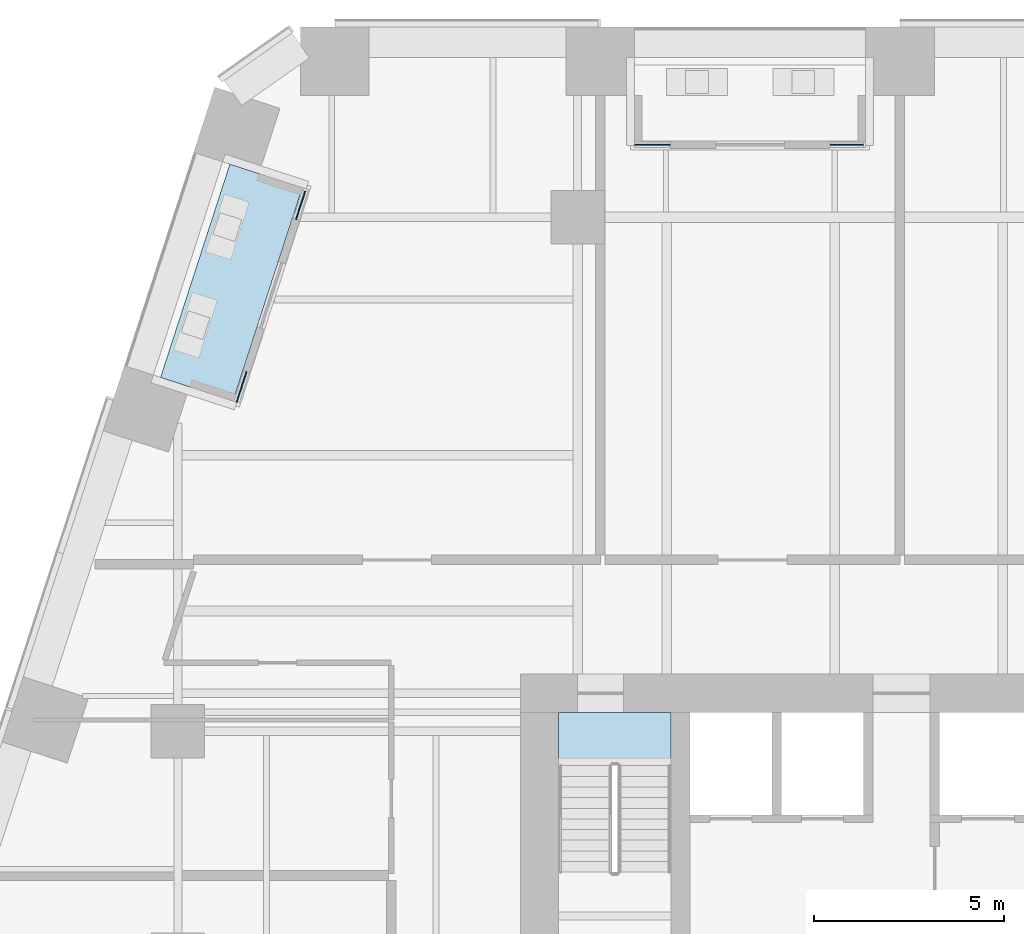
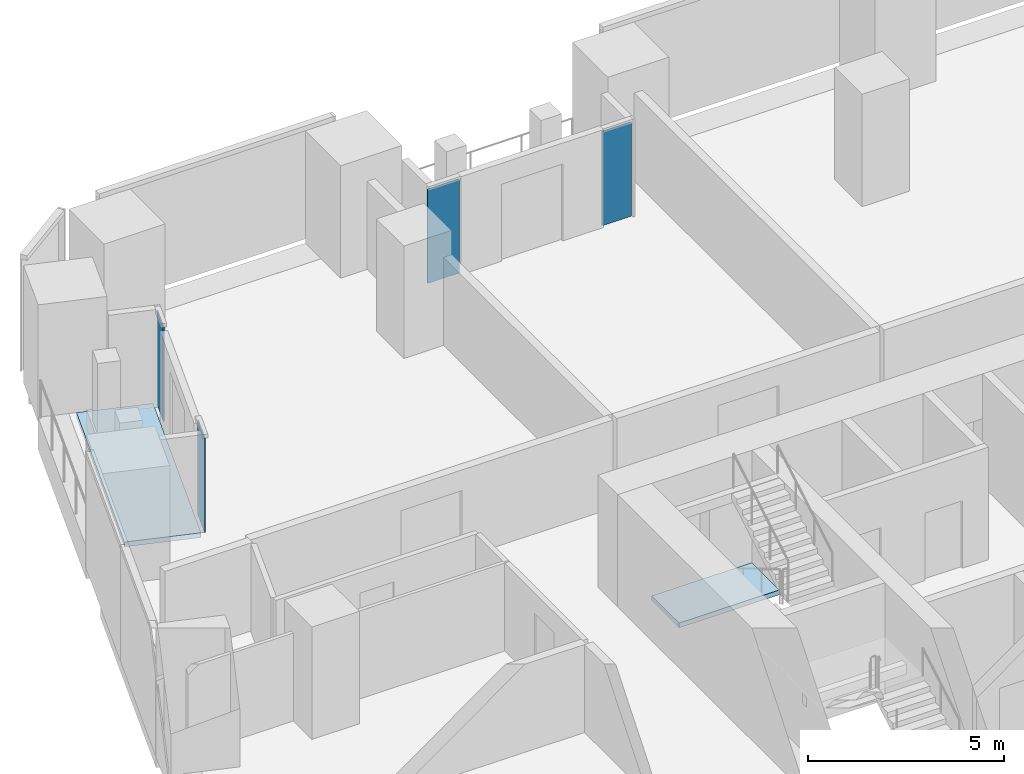
# One storey, part 17 of 28: 4 plates, 2 slabs, 2 elements without a shape of their own.
"""IFC4 building model written with IfcOpenShell, lengths in metres."""

from ifc_helpers import new_model, si_unit, direction, frame, origin, origin_2d, place, context, subcontext, project, spatial, polyline, rectangle, outline, extrude, material, layer, layer_set, type_object, element, aggregate, save


model = new_model("IFC4")

# Units and contexts
model_context = context("Model", 3, precision=1e-05, world=origin(), true_north=direction((0.0, 1.0)))
body_context = subcontext(model_context, "Body", "Model", "MODEL_VIEW")
ifc_project = project(units=[si_unit("LENGTHUNIT", "METRE"), si_unit("AREAUNIT", "SQUARE_METRE"), si_unit("VOLUMEUNIT", "CUBIC_METRE"), si_unit("PLANEANGLEUNIT", "RADIAN"), si_unit("MASSUNIT", "GRAM", prefix="KILO")], contexts=[model_context])

# Site, building, storey
site_placement = place(None, origin())
site = spatial("IfcSite", under=ifc_project, at=site_placement, CompositionType="ELEMENT")
building_placement = place(site_placement, origin())
building = spatial("IfcBuilding", under=site, at=building_placement, Name="Isthmus Gate Tower", CompositionType="ELEMENT")
storey_placement = place(building_placement, frame((0.0, 0.0, 68.85009765625)))
storey = spatial("IfcBuildingStorey", under=building, at=storey_placement, Name="L15", CompositionType="ELEMENT", Elevation=68.85009765625)

# Slab
ifc_material_1 = material(Name="Concrete f'c 40 MPa", Category="concrete")
ifc_layer_1 = layer(ifc_material_1, 0.14990234375)
ifc_layer_set_1 = layer_set([ifc_layer_1], Name="CORE FLOOR SLAB 150")
slab_type_1 = type_object("IfcSlabType", Name="CORE FLOOR SLAB 150", PredefinedType="FLOOR", material=ifc_layer_set_1)
slab_1_placement = place(storey_placement, frame((0.0, 0.0, -0.150146484375)))
element("IfcSlab", 1, at=slab_1_placement, inside=storey, type_object=slab_type_1, Name="L15 core floor", PredefinedType="FLOOR", context=body_context, shape_type="SweptSolid", body=[
    extrude(outline(polyline([(-14.0, 14.0), (-14.0, 12.597900390625), (-11.050048828125, 12.597900390625), (-11.050048828125, 14.0), (-14.0, 14.0)])), origin(), (0.0, 0.0, 1.0), 0.150146484375),
])

# Curtain wall, plates
ifc_material_2 = material(Name="Aluminium, pale champagne anodised", Category="aluminium")
ifc_layer_2 = layer(ifc_material_2, 0.14990234375)
ifc_layer_set_2 = layer_set([ifc_layer_2], Name="CW-6 LOGGIA BACK WALL GLAZING 150 DEEP")
curtain_wall_type = type_object("IfcCurtainWallType", Name="CW-6 LOGGIA BACK WALL GLAZING 150 DEEP", PredefinedType="NOTDEFINED", material=ifc_layer_set_2)
curtain_wall_1_placement = place(storey_placement, origin())
curtain_wall_1 = element("IfcCurtainWall", 2, at=curtain_wall_1_placement, inside=storey, type_object=curtain_wall_type, Name="CW-6 N L15", PredefinedType="NOTDEFINED")
ifc_material_3 = material(Name="Laminated low-iron glass, clear", Category="glass")
ifc_layer_3 = layer(ifc_material_3, 0.031982421875)
ifc_layer_set_3 = layer_set([ifc_layer_3], Name="CW-6 CLEAR GLASS LITE 32")
plate_type = type_object("IfcPlateType", Name="CW-6 CLEAR GLASS LITE 32", PredefinedType="CURTAIN_PANEL", material=ifc_layer_set_3)
plate_1_placement = place(storey_placement, frame((-6.4345703125, 28.89990234375, 0.0), z_axis=(0.0, 0.0, 1.0), x_axis=(-1.0, 0.0, 0.0)))
plate_1 = element("IfcPlate", 3, at=plate_1_placement, type_object=plate_type, Name="CW-6 glass lite", PredefinedType="CURTAIN_PANEL", context=body_context, shape_type="SweptSolid", body=[
    extrude(rectangle(XDim=0.874755859375, YDim=0.031982421875, at=origin_2d()), origin(), (0.0, 0.0, 1.0), 2.929931640625),
])
plate_2_placement = place(storey_placement, frame((-11.539306640625, 28.89990234375, 0.0), z_axis=(0.0, 0.0, 1.0), x_axis=(-1.0, 0.0, 0.0)))
plate_2 = element("IfcPlate", 4, at=plate_2_placement, type_object=plate_type, Name="CW-6 glass lite", PredefinedType="CURTAIN_PANEL", context=body_context, shape_type="SweptSolid", body=[
    extrude(rectangle(XDim=0.934814453125, YDim=0.031982421875, at=origin_2d()), origin(), (0.0, 0.0, 1.0), 2.929931640625),
])
aggregate(curtain_wall_1, [plate_1, plate_2])

curtain_wall_2_placement = place(storey_placement, origin())
curtain_wall_2 = element("IfcCurtainWall", 5, at=curtain_wall_2_placement, inside=storey, type_object=curtain_wall_type, Name="CW-6 NW L15", PredefinedType="NOTDEFINED")
plate_3_placement = place(storey_placement, frame((-20.77685546875, 27.31494140625, 0.0), z_axis=(0.0, 0.0, 1.0), x_axis=(-0.309016994375, -0.951056516295, 0.0)))
plate_3 = element("IfcPlate", 6, at=plate_3_placement, type_object=plate_type, Name="CW-6 glass lite", PredefinedType="CURTAIN_PANEL", context=body_context, shape_type="SweptSolid", body=[
    extrude(rectangle(XDim=0.78466796875, YDim=0.031982421875, at=origin_2d()), origin(), (0.0, 0.0, 1.0), 2.929931640625),
])
plate_4_placement = place(storey_placement, frame((-22.326416015625, 22.545654296875, 0.0), z_axis=(0.0, 0.0, 1.0), x_axis=(-0.309016994375, -0.951056516295, 0.0)))
plate_4 = element("IfcPlate", 7, at=plate_4_placement, type_object=plate_type, Name="CW-6 glass lite", PredefinedType="CURTAIN_PANEL", context=body_context, shape_type="SweptSolid", body=[
    extrude(rectangle(XDim=0.8447265625, YDim=0.031982421875, at=origin_2d()), origin(), (0.0, 0.0, 1.0), 2.929931640625),
])
aggregate(curtain_wall_2, [plate_3, plate_4])

# Slab
ifc_material_4 = material(Name="Concrete f'c 50 MPa", Category="concrete")
ifc_layer_4 = layer(ifc_material_4, 0.14990234375)
ifc_layer_set_4 = layer_set([ifc_layer_4], Name="LOGGIA FLOOR SLAB 150")
slab_type_2 = type_object("IfcSlabType", Name="LOGGIA FLOOR SLAB 150", PredefinedType="FLOOR", material=ifc_layer_set_4)
slab_2_placement = place(storey_placement, frame((0.0, 0.0, -0.150146484375)))
element("IfcSlab", 8, at=slab_2_placement, inside=storey, type_object=slab_type_2, Name="LOGGIA FLOOR", PredefinedType="FLOOR", context=body_context, shape_type="SweptSolid", body=[
    extrude(outline(polyline([(-22.63427734375, 28.39404296875), (-24.4541015625, 22.79296875), (-22.552001953125, 22.1748046875), (-20.732177734375, 27.77587890625), (-22.63427734375, 28.39404296875)])), origin(), (0.0, 0.0, 1.0), 0.150146484375),
])

save(model, "model.ifc")
